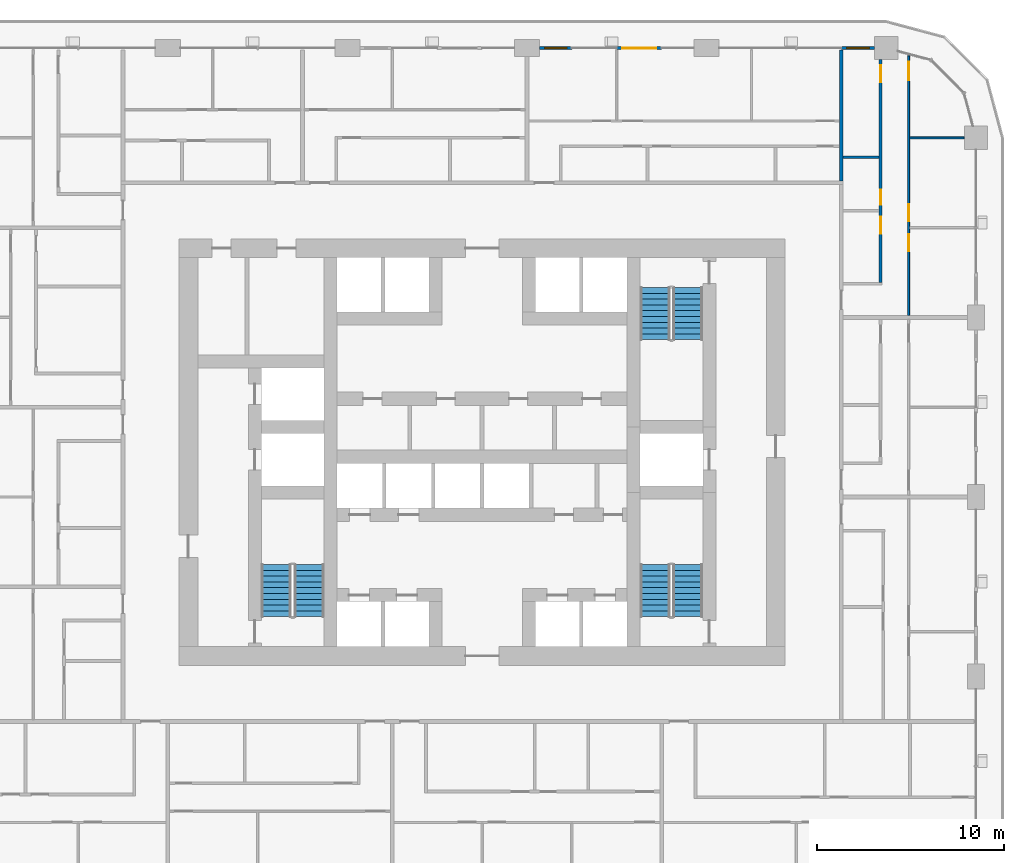
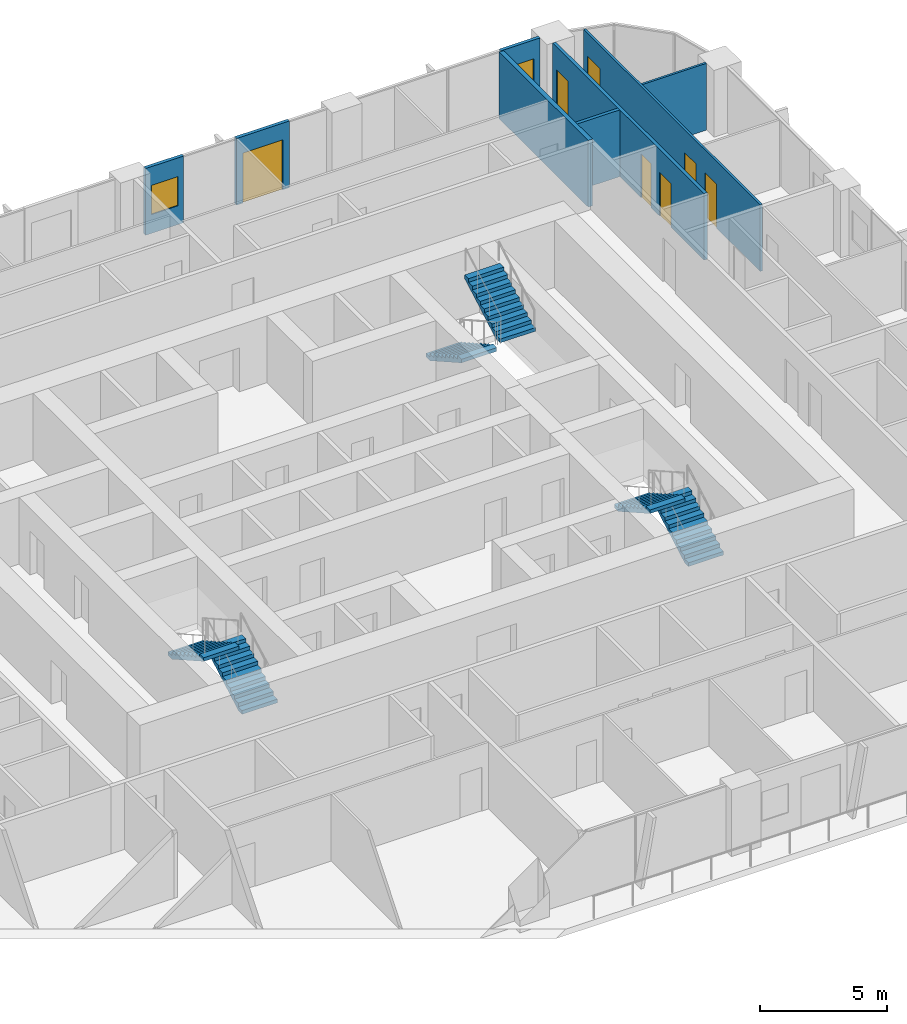
# One storey, part 15 of 21: 8 walls, 7 doors, 6 stair flights, 2 windows, 9 openings, 3 elements without a shape of their own.
"""IFC4 building model written with IfcOpenShell, lengths in metres."""

from ifc_helpers import new_model, si_unit, direction, frame, frame_2d, origin, place, context, subcontext, project, spatial, polyline, rectangle, outline, extrude, material, layer, layer_set, type_object, element, fill, aggregate, save


model = new_model("IFC4")

# Units and contexts
model_context = context("Model", 3, precision=1e-05, world=origin(), true_north=direction((0.0, 1.0)))
body_context = subcontext(model_context, "Body", "Model", "MODEL_VIEW")
ifc_project = project(units=[si_unit("LENGTHUNIT", "METRE"), si_unit("AREAUNIT", "SQUARE_METRE"), si_unit("VOLUMEUNIT", "CUBIC_METRE"), si_unit("PLANEANGLEUNIT", "RADIAN"), si_unit("MASSUNIT", "GRAM", prefix="KILO")], contexts=[model_context])

# Site, building, storey
site_placement = place(None, origin())
site = spatial("IfcSite", under=ifc_project, at=site_placement, CompositionType="ELEMENT")
building_placement = place(site_placement, origin())
building = spatial("IfcBuilding", under=site, at=building_placement, Name="Madar Terraces", CompositionType="ELEMENT")
storey_placement = place(building_placement, frame((0.0, 0.0, 46.89990234375)))
storey = spatial("IfcBuildingStorey", under=building, at=storey_placement, Name="L11", CompositionType="ELEMENT", Elevation=46.89990234375)

# Wall, opening, window
ifc_material_1 = material(Name="Aluminium composite panel, black, over insulated backing", Category="aluminium")
ifc_layer_1 = layer(ifc_material_1, 0.14990234375)
ifc_layer_set_1 = layer_set([ifc_layer_1], Name="Facade bay panel 150")
wall_type_1 = type_object("IfcWallType", Name="Facade bay panel 150", PredefinedType="SOLIDWALL", material=ifc_layer_set_1)
wall_1_placement = place(storey_placement, frame((52.175048828125, 48.0, 0.0), z_axis=(0.0, 0.0, 1.0), x_axis=(-1.0, 0.0, 0.0)))
wall_1 = element("IfcWall", 1, at=wall_1_placement, inside=storey, type_object=wall_type_1, Name="Facade bay panel", PredefinedType="SOLIDWALL", context=body_context, shape_type="SweptSolid", body=[
    extrude(rectangle(XDim=1.775146484375, YDim=0.14990234375, at=frame_2d((0.8876953125, 0.0))), origin(), (0.0, 0.0, 1.0), 3.2001953125),
])
opening_1_placement = place(wall_1_placement, frame((0.28759765625, 0.0, 0.89990234375)))
opening_1 = element("IfcOpeningElement", 2, at=opening_1_placement, cuts=wall_1, Name="Opening W1", PredefinedType="OPENING", context=body_context, shape_type="SweptSolid", body=[
    extrude(rectangle(XDim=1.199951171875, YDim=1.39990234375, at=frame_2d((0.60009765625, 0.699951171875))), frame((0.0, 0.0849609375, 0.0), z_axis=(0.0, -1.0, 0.0), x_axis=(1.0, 0.0, 0.0)), (0.0, 0.0, 1.0), 0.169921875),
])
ifc_material_2 = material(Name="Glass, clear, with black aluminium frame", Category="aluminium")
window_type = type_object("IfcWindowType", Name="Vent window 1200 x 1400", PartitioningType="SINGLE_PANEL", PredefinedType="WINDOW", material=ifc_material_2)
window_1_placement = place(opening_1_placement, origin())
window_1 = element("IfcWindow", 3, at=window_1_placement, inside=storey, type_object=window_type, Name="Operable vent window", OverallHeight=1.39990234375, OverallWidth=1.199951171875, PartitioningType="SINGLE_PANEL", PredefinedType="WINDOW", context=body_context, shape_type="SweptSolid", body=[
    extrude(rectangle(XDim=1.199951171875, YDim=1.39990234375, at=frame_2d((0.60009765625, 0.699951171875))), frame((0.0, 0.030029296875, 0.0), z_axis=(0.0, -1.0, 0.0), x_axis=(1.0, 0.0, 0.0)), (0.0, 0.0, 1.0), 0.06005859375),
])
fill(opening_1, window_1)

# Wall, opening, door
wall_2_placement = place(storey_placement, frame((40.800048828125, 48.0, 0.0), z_axis=(0.0, 0.0, 1.0), x_axis=(-1.0, 0.0, 0.0)))
wall_2 = element("IfcWall", 4, at=wall_2_placement, inside=storey, type_object=wall_type_1, Name="Facade bay panel", PredefinedType="SOLIDWALL", context=body_context, shape_type="SweptSolid", body=[
    extrude(rectangle(XDim=2.400146484375, YDim=0.14990234375, at=frame_2d((1.2001953125, 0.0))), origin(), (0.0, 0.0, 1.0), 3.2001953125),
])
opening_2_placement = place(wall_2_placement, frame((0.300048828125, 0.0, 0.0)))
opening_2 = element("IfcOpeningElement", 5, at=opening_2_placement, cuts=wall_2, Name="Opening ED1", PredefinedType="OPENING", context=body_context, shape_type="SweptSolid", body=[
    extrude(rectangle(XDim=1.800048828125, YDim=2.39990234375, at=frame_2d((0.89990234375, 1.199951171875))), frame((0.0, 0.0849609375, 0.0), z_axis=(0.0, -1.0, 0.0), x_axis=(1.0, 0.0, 0.0)), (0.0, 0.0, 1.0), 0.169921875),
])
ifc_material_3 = material(Name="Glass, clear, with black aluminium frame", Category="aluminium")
door_type_1 = type_object("IfcDoorType", Name="Balcony and terrace sliding door 1800 x 2400", OperationType="SLIDING_TO_LEFT", PredefinedType="DOOR", material=ifc_material_3)
door_1_placement = place(opening_2_placement, origin())
door_1 = element("IfcDoor", 6, at=door_1_placement, inside=storey, type_object=door_type_1, Name="Balcony door", OperationType="SLIDING_TO_RIGHT", OverallHeight=2.39990234375, OverallWidth=1.800048828125, PredefinedType="DOOR", context=body_context, shape_type="SweptSolid", body=[
    extrude(rectangle(XDim=1.800048828125, YDim=2.39990234375, at=frame_2d((0.89990234375, 1.199951171875))), frame((0.0, 0.02490234375, 0.0), z_axis=(0.0, -1.0, 0.0), x_axis=(1.0, 0.0, 0.0)), (0.0, 0.0, 1.0), 0.050048828125),
])
fill(opening_2, door_1)

# Wall, opening, window
wall_3_placement = place(storey_placement, frame((36.0, 48.0, 0.0), z_axis=(0.0, 0.0, 1.0), x_axis=(-1.0, 0.0, 0.0)))
wall_3 = element("IfcWall", 7, at=wall_3_placement, inside=storey, type_object=wall_type_1, Name="Facade bay panel", PredefinedType="SOLIDWALL", context=body_context, shape_type="SweptSolid", body=[
    extrude(rectangle(XDim=1.72509765625, YDim=0.14990234375, at=frame_2d((0.862548828125, 0.0))), origin(), (0.0, 0.0, 1.0), 3.2001953125),
])
opening_3_placement = place(wall_3_placement, frame((0.262451171875, 0.0, 0.89990234375)))
opening_3 = element("IfcOpeningElement", 8, at=opening_3_placement, cuts=wall_3, Name="Opening W1", PredefinedType="OPENING", context=body_context, shape_type="SweptSolid", body=[
    extrude(rectangle(XDim=1.199951171875, YDim=1.39990234375, at=frame_2d((0.60009765625, 0.699951171875))), frame((0.0, 0.0849609375, 0.0), z_axis=(0.0, -1.0, 0.0), x_axis=(1.0, 0.0, 0.0)), (0.0, 0.0, 1.0), 0.169921875),
])
window_2_placement = place(opening_3_placement, origin())
window_2 = element("IfcWindow", 9, at=window_2_placement, inside=storey, type_object=window_type, Name="Operable vent window", OverallHeight=1.39990234375, OverallWidth=1.199951171875, PartitioningType="SINGLE_PANEL", PredefinedType="WINDOW", context=body_context, shape_type="SweptSolid", body=[
    extrude(rectangle(XDim=1.199951171875, YDim=1.39990234375, at=frame_2d((0.60009765625, 0.699951171875))), frame((0.0, 0.030029296875, 0.0), z_axis=(0.0, -1.0, 0.0), x_axis=(1.0, 0.0, 0.0)), (0.0, 0.0, 1.0), 0.06005859375),
])
fill(opening_3, window_2)

# Wall
ifc_material_4 = material(Name="Gypsum board on steel studs", Category="steel")
ifc_layer_2 = layer(ifc_material_4, 0.10009765625)
ifc_layer_set_2 = layer_set([ifc_layer_2], Name="Flat partition 100")
wall_type_2 = type_object("IfcWallType", Name="Flat partition 100", PredefinedType="PARTITIONING", material=ifc_layer_set_2)
wall_4_placement = place(storey_placement, frame((54.050048828125, 43.199951171875, 0.0), z_axis=(0.0, 0.0, 1.0), x_axis=(1.0, 0.0, 0.0)))
element("IfcWall", 10, at=wall_4_placement, inside=storey, type_object=wall_type_2, Name="Flat partition 100", PredefinedType="PARTITIONING", context=body_context, shape_type="SweptSolid", body=[
    extrude(rectangle(XDim=2.925048828125, YDim=0.10009765625, at=frame_2d((1.46240234375, 0.0))), origin(), (0.0, 0.0, 1.0), 3.2001953125),
])

# Wall, openings, doors
wall_5_placement = place(storey_placement, frame((54.0, 47.57861328125, 0.0), z_axis=(0.0, 0.0, 1.0), x_axis=(0.0, -1.0, 0.0)))
wall_5 = element("IfcWall", 11, at=wall_5_placement, inside=storey, type_object=wall_type_2, Name="Flat partition 100", PredefinedType="PARTITIONING", context=body_context, shape_type="SweptSolid", body=[
    extrude(rectangle(XDim=13.878662109375, YDim=0.10009765625, at=frame_2d((6.939453125, 0.0))), origin(), (0.0, 0.0, 1.0), 3.2001953125),
])
opening_4_placement = place(wall_5_placement, frame((9.528564453125, 0.0, 0.0)))
opening_4 = element("IfcOpeningElement", 12, at=opening_4_placement, cuts=wall_5, Name="Opening D2", PredefinedType="OPENING", context=body_context, shape_type="SweptSolid", body=[
    extrude(rectangle(XDim=0.89990234375, YDim=2.10009765625, at=frame_2d((0.449951171875, 1.050048828125))), frame((0.0, 0.06005859375, 0.0), z_axis=(0.0, -1.0, 0.0), x_axis=(1.0, 0.0, 0.0)), (0.0, 0.0, 1.0), 0.1201171875),
])
opening_5_placement = place(wall_5_placement, frame((7.928466796875, 0.0, 0.0)))
opening_5 = element("IfcOpeningElement", 13, at=opening_5_placement, cuts=wall_5, Name="Opening D2", PredefinedType="OPENING", context=body_context, shape_type="SweptSolid", body=[
    extrude(rectangle(XDim=0.89990234375, YDim=2.10009765625, at=frame_2d((0.449951171875, 1.050048828125))), frame((0.0, 0.06005859375, 0.0), z_axis=(0.0, -1.0, 0.0), x_axis=(1.0, 0.0, 0.0)), (0.0, 0.0, 1.0), 0.1201171875),
])
opening_6_placement = place(wall_5_placement, frame((0.300048828125, 0.0, 0.0)))
opening_6 = element("IfcOpeningElement", 14, at=opening_6_placement, cuts=wall_5, Name="Opening D3", PredefinedType="OPENING", context=body_context, shape_type="SweptSolid", body=[
    extrude(rectangle(XDim=1.0, YDim=2.10009765625, at=frame_2d((0.5, 1.050048828125))), frame((0.0, 0.06005859375, 0.0), z_axis=(0.0, -1.0, 0.0), x_axis=(1.0, 0.0, 0.0)), (0.0, 0.0, 1.0), 0.1201171875),
])
ifc_material_5 = material(Name="Timber door leaf", Category="wood")
door_type_2 = type_object("IfcDoorType", Name="Flat living room door 1000", OperationType="NOTDEFINED", PredefinedType="DOOR", material=ifc_material_5)
door_2_placement = place(opening_6_placement, origin())
door_2 = element("IfcDoor", 15, at=door_2_placement, inside=storey, type_object=door_type_2, Name="Flat living room door 1000", OperationType="SINGLE_SWING_LEFT", OverallHeight=2.10009765625, OverallWidth=1.0, PredefinedType="DOOR", context=body_context, shape_type="SweptSolid", body=[
    extrude(rectangle(XDim=1.0, YDim=2.10009765625, at=frame_2d((0.5, 1.050048828125))), frame((0.0, 0.02490234375, 0.0), z_axis=(0.0, -1.0, 0.0), x_axis=(1.0, 0.0, 0.0)), (0.0, 0.0, 1.0), 0.050048828125),
])
fill(opening_6, door_2)
ifc_material_6 = material(Name="Timber door leaf", Category="wood")
door_type_3 = type_object("IfcDoorType", Name="Flat room door 900", OperationType="NOTDEFINED", PredefinedType="DOOR", material=ifc_material_6)
door_3_placement = place(opening_4_placement, origin())
door_3 = element("IfcDoor", 16, at=door_3_placement, inside=storey, type_object=door_type_3, Name="Flat room door 900", OperationType="SINGLE_SWING_LEFT", OverallHeight=2.10009765625, OverallWidth=0.89990234375, PredefinedType="DOOR", context=body_context, shape_type="SweptSolid", body=[
    extrude(rectangle(XDim=0.89990234375, YDim=2.10009765625, at=frame_2d((0.449951171875, 1.050048828125))), frame((0.0, 0.02490234375, 0.0), z_axis=(0.0, -1.0, 0.0), x_axis=(1.0, 0.0, 0.0)), (0.0, 0.0, 1.0), 0.050048828125),
])
fill(opening_4, door_3)
door_4_placement = place(opening_5_placement, origin())
door_4 = element("IfcDoor", 17, at=door_4_placement, inside=storey, type_object=door_type_3, Name="Flat room door 900", OperationType="SINGLE_SWING_RIGHT", OverallHeight=2.10009765625, OverallWidth=0.89990234375, PredefinedType="DOOR", context=body_context, shape_type="SweptSolid", body=[
    extrude(rectangle(XDim=0.89990234375, YDim=2.10009765625, at=frame_2d((0.449951171875, 1.050048828125))), frame((0.0, 0.02490234375, 0.0), z_axis=(0.0, -1.0, 0.0), x_axis=(1.0, 0.0, 0.0)), (0.0, 0.0, 1.0), 0.050048828125),
])
fill(opening_5, door_4)

# Walls
ifc_material_7 = material(Name="Lightweight blockwork", Category="masonry")
ifc_layer_3 = layer(ifc_material_7, 0.199951171875)
ifc_layer_set_3 = layer_set([ifc_layer_3], Name="Flat party and entrance wall 200")
wall_type_3 = type_object("IfcWallType", Name="Flat party and entrance wall 200", PredefinedType="PARTITIONING", material=ifc_layer_set_3)
wall_6_placement = place(storey_placement, frame((50.39990234375, 40.89990234375, 0.0), z_axis=(0.0, 0.0, 1.0), x_axis=(0.0, 1.0, 0.0)))
element("IfcWall", 18, at=wall_6_placement, inside=storey, type_object=wall_type_3, Name="Flat party and entrance wall 200", PredefinedType="PARTITIONING", context=body_context, shape_type="SweptSolid", body=[
    extrude(rectangle(XDim=7.0, YDim=0.199951171875, at=frame_2d((3.5, 0.0))), origin(), (0.0, 0.0, 1.0), 3.2001953125),
])
ifc_material_8 = material(Name="Lightweight blockwork", Category="masonry")
ifc_layer_4 = layer(ifc_material_8, 0.14990234375)
ifc_layer_set_4 = layer_set([ifc_layer_4], Name="Flat wet-room partition 150")
wall_type_4 = type_object("IfcWallType", Name="Flat wet-room partition 150", PredefinedType="PARTITIONING", material=ifc_layer_set_4)
wall_7_placement = place(storey_placement, frame((50.5, 42.165283203125, 0.0), z_axis=(0.0, 0.0, 1.0), x_axis=(1.0, 0.0, 0.0)))
element("IfcWall", 19, at=wall_7_placement, inside=storey, type_object=wall_type_4, Name="Flat wet-room partition 150", PredefinedType="PARTITIONING", context=body_context, shape_type="SweptSolid", body=[
    extrude(rectangle(XDim=1.925048828125, YDim=0.14990234375, at=frame_2d((0.96240234375, 0.0))), origin(), (0.0, 0.0, 1.0), 3.2001953125),
])

# Wall, openings, doors
wall_8_placement = place(storey_placement, frame((52.5, 35.47509765625, 0.0), z_axis=(0.0, 0.0, 1.0), x_axis=(0.0, 1.0, 0.0)))
wall_8 = element("IfcWall", 20, at=wall_8_placement, inside=storey, type_object=wall_type_4, Name="Flat wet-room partition 150", PredefinedType="PARTITIONING", context=body_context, shape_type="SweptSolid", body=[
    extrude(rectangle(XDim=11.89990234375, YDim=0.14990234375, at=frame_2d((5.949951171875, 0.0))), origin(), (0.0, 0.0, 1.0), 3.2001953125),
])
opening_7_placement = place(wall_8_placement, frame((2.59814453125, 0.0, 0.0)))
opening_7 = element("IfcOpeningElement", 21, at=opening_7_placement, cuts=wall_8, Name="Opening D5", PredefinedType="OPENING", context=body_context, shape_type="SweptSolid", body=[
    extrude(rectangle(XDim=0.89990234375, YDim=2.10009765625, at=frame_2d((0.449951171875, 1.050048828125))), frame((0.0, 0.0849609375, 0.0), z_axis=(0.0, -1.0, 0.0), x_axis=(1.0, 0.0, 0.0)), (0.0, 0.0, 1.0), 0.169921875),
])
opening_8_placement = place(wall_8_placement, frame((4.148193359375, 0.0, 0.0)))
opening_8 = element("IfcOpeningElement", 22, at=opening_8_placement, cuts=wall_8, Name="Opening D4", PredefinedType="OPENING", context=body_context, shape_type="SweptSolid", body=[
    extrude(rectangle(XDim=0.800048828125, YDim=2.10009765625, at=frame_2d((0.39990234375, 1.050048828125))), frame((0.0, 0.0849609375, 0.0), z_axis=(0.0, -1.0, 0.0), x_axis=(1.0, 0.0, 0.0)), (0.0, 0.0, 1.0), 0.169921875),
])
opening_9_placement = place(wall_8_placement, frame((10.699951171875, 0.0, 0.0)))
opening_9 = element("IfcOpeningElement", 23, at=opening_9_placement, cuts=wall_8, Name="Opening D2", PredefinedType="OPENING", context=body_context, shape_type="SweptSolid", body=[
    extrude(rectangle(XDim=0.89990234375, YDim=2.10009765625, at=frame_2d((0.449951171875, 1.050048828125))), frame((0.0, 0.0849609375, 0.0), z_axis=(0.0, -1.0, 0.0), x_axis=(1.0, 0.0, 0.0)), (0.0, 0.0, 1.0), 0.169921875),
])
ifc_material_9 = material(Name="Timber door leaf", Category="wood")
door_type_4 = type_object("IfcDoorType", Name="Flat accessible bathroom door 900", OperationType="NOTDEFINED", PredefinedType="DOOR", material=ifc_material_9)
door_5_placement = place(opening_7_placement, origin())
door_5 = element("IfcDoor", 24, at=door_5_placement, inside=storey, type_object=door_type_4, Name="Flat accessible bathroom door 900", OperationType="SINGLE_SWING_RIGHT", OverallHeight=2.10009765625, OverallWidth=0.89990234375, PredefinedType="DOOR", context=body_context, shape_type="SweptSolid", body=[
    extrude(rectangle(XDim=0.89990234375, YDim=2.10009765625, at=frame_2d((0.449951171875, 1.050048828125))), frame((0.0, 0.02490234375, 0.0), z_axis=(0.0, -1.0, 0.0), x_axis=(1.0, 0.0, 0.0)), (0.0, 0.0, 1.0), 0.050048828125),
])
fill(opening_7, door_5)
ifc_material_10 = material(Name="Timber door leaf", Category="wood")
door_type_5 = type_object("IfcDoorType", Name="Flat bathroom door 800", OperationType="NOTDEFINED", PredefinedType="DOOR", material=ifc_material_10)
door_6_placement = place(opening_8_placement, origin())
door_6 = element("IfcDoor", 25, at=door_6_placement, inside=storey, type_object=door_type_5, Name="Flat bathroom door 800", OperationType="SINGLE_SWING_LEFT", OverallHeight=2.10009765625, OverallWidth=0.800048828125, PredefinedType="DOOR", context=body_context, shape_type="SweptSolid", body=[
    extrude(rectangle(XDim=0.800048828125, YDim=2.10009765625, at=frame_2d((0.39990234375, 1.050048828125))), frame((0.0, 0.02490234375, 0.0), z_axis=(0.0, -1.0, 0.0), x_axis=(1.0, 0.0, 0.0)), (0.0, 0.0, 1.0), 0.050048828125),
])
fill(opening_8, door_6)
door_7_placement = place(opening_9_placement, origin())
door_7 = element("IfcDoor", 26, at=door_7_placement, inside=storey, type_object=door_type_3, Name="Flat room door 900", OperationType="SINGLE_SWING_RIGHT", OverallHeight=2.10009765625, OverallWidth=0.89990234375, PredefinedType="DOOR", context=body_context, shape_type="SweptSolid", body=[
    extrude(rectangle(XDim=0.89990234375, YDim=2.10009765625, at=frame_2d((0.449951171875, 1.050048828125))), frame((0.0, 0.02490234375, 0.0), z_axis=(0.0, -1.0, 0.0), x_axis=(1.0, 0.0, 0.0)), (0.0, 0.0, 1.0), 0.050048828125),
])
fill(opening_9, door_7)

# Stair, stair flights
ifc_material_11 = material(Name="Concrete C50/60", Category="concrete")
stair_type_1 = type_object("IfcStairType", Name="Stair ST1 protected exit", PredefinedType="HALF_TURN_STAIR", material=ifc_material_11)
stair_1_placement = place(storey_placement, origin())
stair_1 = element("IfcStair", 27, at=stair_1_placement, inside=storey, type_object=stair_type_1, Name="L11 Protected Exit Stair ST1", PredefinedType="HALF_TURN_STAIR")
ifc_material_12 = material(Name="Concrete C50/60", Category="concrete")
stair_flight_type_1 = type_object("IfcStairFlightType", Name="Stair flight ST1-F4, 1600 wide, 10 risers", PredefinedType="STRAIGHT", material=ifc_material_12)
stair_flight_1_placement = place(storey_placement, frame((21.949951171875, 17.60009765625, 0.0), z_axis=(0.0, 0.0, 1.0), x_axis=(0.0, 1.0, 0.0)))
stair_flight_1 = element("IfcStairFlight", 28, at=stair_flight_1_placement, type_object=stair_flight_type_1, Name="ST1 flight 1", NumberOfRisers=10, NumberOfTreads=9, PredefinedType="STRAIGHT", RiserHeight=0.175, TreadLength=0.31, context=body_context, shape_type="SweptSolid", body=[
    extrude(outline(polyline([(0.0, 0.0), (0.0, 0.175048828125), (0.31005859375, 0.175048828125), (0.31005859375, 0.35009765625), (0.6201171875, 0.35009765625), (0.6201171875, 0.52490234375), (0.929931640625, 0.52490234375), (0.929931640625, 0.699951171875), (1.239990234375, 0.699951171875), (1.239990234375, 0.875), (1.550048828125, 0.875), (1.550048828125, 1.050048828125), (1.860107421875, 1.050048828125), (1.860107421875, 1.22509765625), (2.169921875, 1.22509765625), (2.169921875, 1.39990234375), (2.47998046875, 1.39990234375), (2.47998046875, 1.574951171875), (2.7900390625, 1.574951171875), (2.7900390625, 1.75), (2.7900390625, 1.40283203125), (0.304931640625, 0.0), (0.0, 0.0)])), frame((0.0, 0.800048828125, 0.0), z_axis=(0.0, -1.0, 0.0), x_axis=(1.0, 0.0, 0.0)), (0.0, 0.0, 1.0), 1.60009765625),
])
stair_flight_2_placement = place(storey_placement, frame((20.199951171875, 20.389892578125, 1.75), z_axis=(0.0, 0.0, 1.0), x_axis=(0.0, -1.0, 0.0)))
stair_flight_2 = element("IfcStairFlight", 29, at=stair_flight_2_placement, type_object=stair_flight_type_1, Name="ST1 flight 2", NumberOfRisers=10, NumberOfTreads=9, PredefinedType="STRAIGHT", RiserHeight=0.175, TreadLength=0.31, context=body_context, shape_type="SweptSolid", body=[
    extrude(outline(polyline([(0.0, 0.0), (0.0, 0.175048828125), (0.31005859375, 0.175048828125), (0.31005859375, 0.35009765625), (0.6201171875, 0.35009765625), (0.6201171875, 0.52490234375), (0.929931640625, 0.52490234375), (0.929931640625, 0.699951171875), (1.239990234375, 0.699951171875), (1.239990234375, 0.875), (1.550048828125, 0.875), (1.550048828125, 1.050048828125), (1.860107421875, 1.050048828125), (1.860107421875, 1.22509765625), (2.169921875, 1.22509765625), (2.169921875, 1.39990234375), (2.47998046875, 1.39990234375), (2.47998046875, 1.574951171875), (2.7900390625, 1.574951171875), (2.7900390625, 1.75), (2.7900390625, 1.40283203125), (0.304931640625, 0.0), (0.0, 0.0)])), frame((0.0, 0.800048828125, 0.0), z_axis=(0.0, -1.0, 0.0), x_axis=(1.0, 0.0, 0.0)), (0.0, 0.0, 1.0), 1.60009765625),
])
aggregate(stair_1, [stair_flight_1, stair_flight_2])

ifc_material_13 = material(Name="Concrete C50/60", Category="concrete")
stair_type_2 = type_object("IfcStairType", Name="Stair ST2 protected exit", PredefinedType="HALF_TURN_STAIR", material=ifc_material_13)
stair_2_placement = place(storey_placement, origin())
stair_2 = element("IfcStair", 30, at=stair_2_placement, inside=storey, type_object=stair_type_2, Name="L11 Protected Exit Stair ST2", PredefinedType="HALF_TURN_STAIR")
ifc_material_14 = material(Name="Concrete C50/60", Category="concrete")
stair_flight_type_2 = type_object("IfcStairFlightType", Name="Stair flight ST2-F4, 1600 wide, 10 risers", PredefinedType="STRAIGHT", material=ifc_material_14)
stair_flight_3_placement = place(storey_placement, frame((40.449951171875, 35.199951171875, 0.0), z_axis=(0.0, 0.0, 1.0), x_axis=(0.0, -1.0, 0.0)))
stair_flight_3 = element("IfcStairFlight", 31, at=stair_flight_3_placement, type_object=stair_flight_type_2, Name="ST2 flight 1", NumberOfRisers=10, NumberOfTreads=9, PredefinedType="STRAIGHT", RiserHeight=0.175, TreadLength=0.31, context=body_context, shape_type="SweptSolid", body=[
    extrude(outline(polyline([(0.0, 0.0), (0.0, 0.175048828125), (0.31005859375, 0.175048828125), (0.31005859375, 0.35009765625), (0.6201171875, 0.35009765625), (0.6201171875, 0.52490234375), (0.929931640625, 0.52490234375), (0.929931640625, 0.699951171875), (1.239990234375, 0.699951171875), (1.239990234375, 0.875), (1.550048828125, 0.875), (1.550048828125, 1.050048828125), (1.860107421875, 1.050048828125), (1.860107421875, 1.22509765625), (2.169921875, 1.22509765625), (2.169921875, 1.39990234375), (2.47998046875, 1.39990234375), (2.47998046875, 1.574951171875), (2.7900390625, 1.574951171875), (2.7900390625, 1.75), (2.7900390625, 1.40283203125), (0.304931640625, 0.0), (0.0, 0.0)])), frame((0.0, 0.800048828125, 0.0), z_axis=(0.0, -1.0, 0.0), x_axis=(1.0, 0.0, 0.0)), (0.0, 0.0, 1.0), 1.60009765625),
])
stair_flight_4_placement = place(storey_placement, frame((42.199951171875, 32.409912109375, 1.75), z_axis=(0.0, 0.0, 1.0), x_axis=(0.0, 1.0, 0.0)))
stair_flight_4 = element("IfcStairFlight", 32, at=stair_flight_4_placement, type_object=stair_flight_type_2, Name="ST2 flight 2", NumberOfRisers=10, NumberOfTreads=9, PredefinedType="STRAIGHT", RiserHeight=0.175, TreadLength=0.31, context=body_context, shape_type="SweptSolid", body=[
    extrude(outline(polyline([(0.0, 0.0), (0.0, 0.175048828125), (0.31005859375, 0.175048828125), (0.31005859375, 0.35009765625), (0.6201171875, 0.35009765625), (0.6201171875, 0.52490234375), (0.929931640625, 0.52490234375), (0.929931640625, 0.699951171875), (1.239990234375, 0.699951171875), (1.239990234375, 0.875), (1.550048828125, 0.875), (1.550048828125, 1.050048828125), (1.860107421875, 1.050048828125), (1.860107421875, 1.22509765625), (2.169921875, 1.22509765625), (2.169921875, 1.39990234375), (2.47998046875, 1.39990234375), (2.47998046875, 1.574951171875), (2.7900390625, 1.574951171875), (2.7900390625, 1.75), (2.7900390625, 1.40283203125), (0.304931640625, 0.0), (0.0, 0.0)])), frame((0.0, 0.800048828125, 0.0), z_axis=(0.0, -1.0, 0.0), x_axis=(1.0, 0.0, 0.0)), (0.0, 0.0, 1.0), 1.60009765625),
])
aggregate(stair_2, [stair_flight_3, stair_flight_4])

ifc_material_15 = material(Name="Concrete C50/60", Category="concrete")
stair_type_3 = type_object("IfcStairType", Name="Stair ST3 protected exit", PredefinedType="HALF_TURN_STAIR", material=ifc_material_15)
stair_3_placement = place(storey_placement, origin())
stair_3 = element("IfcStair", 33, at=stair_3_placement, inside=storey, type_object=stair_type_3, Name="L11 Protected Exit Stair ST3", PredefinedType="HALF_TURN_STAIR")
ifc_material_16 = material(Name="Concrete C50/60", Category="concrete")
stair_flight_type_3 = type_object("IfcStairFlightType", Name="Stair flight ST3-F4, 1600 wide, 10 risers", PredefinedType="STRAIGHT", material=ifc_material_16)
stair_flight_5_placement = place(storey_placement, frame((42.199951171875, 17.60009765625, 0.0), z_axis=(0.0, 0.0, 1.0), x_axis=(0.0, 1.0, 0.0)))
stair_flight_5 = element("IfcStairFlight", 34, at=stair_flight_5_placement, type_object=stair_flight_type_3, Name="ST3 flight 1", NumberOfRisers=10, NumberOfTreads=9, PredefinedType="STRAIGHT", RiserHeight=0.175, TreadLength=0.31, context=body_context, shape_type="SweptSolid", body=[
    extrude(outline(polyline([(0.0, 0.0), (0.0, 0.175048828125), (0.31005859375, 0.175048828125), (0.31005859375, 0.35009765625), (0.6201171875, 0.35009765625), (0.6201171875, 0.52490234375), (0.929931640625, 0.52490234375), (0.929931640625, 0.699951171875), (1.239990234375, 0.699951171875), (1.239990234375, 0.875), (1.550048828125, 0.875), (1.550048828125, 1.050048828125), (1.860107421875, 1.050048828125), (1.860107421875, 1.22509765625), (2.169921875, 1.22509765625), (2.169921875, 1.39990234375), (2.47998046875, 1.39990234375), (2.47998046875, 1.574951171875), (2.7900390625, 1.574951171875), (2.7900390625, 1.75), (2.7900390625, 1.40283203125), (0.304931640625, 0.0), (0.0, 0.0)])), frame((0.0, 0.800048828125, 0.0), z_axis=(0.0, -1.0, 0.0), x_axis=(1.0, 0.0, 0.0)), (0.0, 0.0, 1.0), 1.60009765625),
])
stair_flight_6_placement = place(storey_placement, frame((40.449951171875, 20.389892578125, 1.75), z_axis=(0.0, 0.0, 1.0), x_axis=(0.0, -1.0, 0.0)))
stair_flight_6 = element("IfcStairFlight", 35, at=stair_flight_6_placement, type_object=stair_flight_type_3, Name="ST3 flight 2", NumberOfRisers=10, NumberOfTreads=9, PredefinedType="STRAIGHT", RiserHeight=0.175, TreadLength=0.31, context=body_context, shape_type="SweptSolid", body=[
    extrude(outline(polyline([(0.0, 0.0), (0.0, 0.175048828125), (0.31005859375, 0.175048828125), (0.31005859375, 0.35009765625), (0.6201171875, 0.35009765625), (0.6201171875, 0.52490234375), (0.929931640625, 0.52490234375), (0.929931640625, 0.699951171875), (1.239990234375, 0.699951171875), (1.239990234375, 0.875), (1.550048828125, 0.875), (1.550048828125, 1.050048828125), (1.860107421875, 1.050048828125), (1.860107421875, 1.22509765625), (2.169921875, 1.22509765625), (2.169921875, 1.39990234375), (2.47998046875, 1.39990234375), (2.47998046875, 1.574951171875), (2.7900390625, 1.574951171875), (2.7900390625, 1.75), (2.7900390625, 1.40283203125), (0.304931640625, 0.0), (0.0, 0.0)])), frame((0.0, 0.800048828125, 0.0), z_axis=(0.0, -1.0, 0.0), x_axis=(1.0, 0.0, 0.0)), (0.0, 0.0, 1.0), 1.60009765625),
])
aggregate(stair_3, [stair_flight_5, stair_flight_6])

save(model, "model.ifc")
